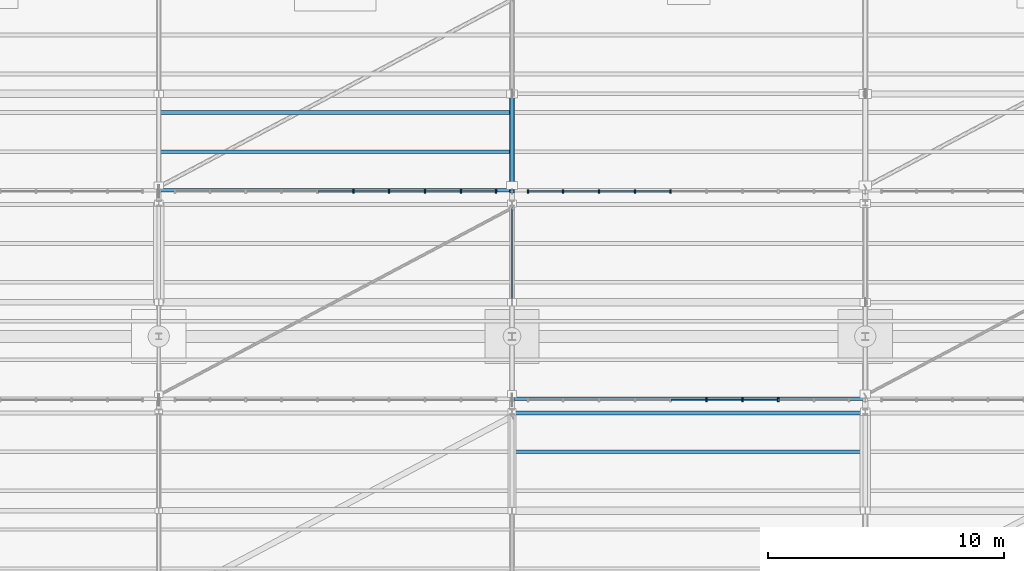
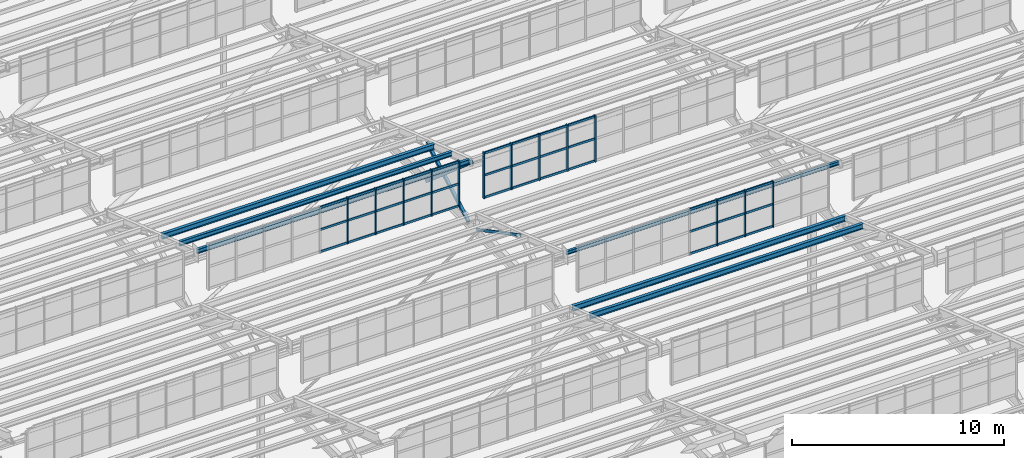
# One storey, part 90 of 285: 52 members, 6 beams, 3 elements without a shape of their own.
"""IFC4 building model written with IfcOpenShell, lengths in metres."""

from ifc_helpers import new_model, si_unit, direction, frame, origin, origin_2d, place, context, subcontext, project, spatial, rectangle, hollow_rectangle, i_section, extrude, material, material_profile, profile_set, type_object, element, aggregate, save


model = new_model("IFC4")

# Units and contexts
model_context = context("Model", 3, precision=1e-05, world=origin(), true_north=direction((0.0, 1.0)))
body_context = subcontext(model_context, "Body", "Model", "MODEL_VIEW")
ifc_project = project(units=[si_unit("LENGTHUNIT", "METRE"), si_unit("AREAUNIT", "SQUARE_METRE"), si_unit("VOLUMEUNIT", "CUBIC_METRE"), si_unit("PLANEANGLEUNIT", "RADIAN"), si_unit("MASSUNIT", "GRAM", prefix="KILO")], contexts=[model_context])

# Site, building, storey
site_placement = place(None, origin())
site = spatial("IfcSite", under=ifc_project, at=site_placement, CompositionType="ELEMENT")
building_placement = place(site_placement, origin())
building = spatial("IfcBuilding", under=site, at=building_placement, Name="Solanera Park Tramway Depot", CompositionType="ELEMENT")
storey_placement = place(building_placement, origin())
storey = spatial("IfcBuildingStorey", under=building, at=storey_placement, Name="L00", CompositionType="ELEMENT", Elevation=0.0)

# Curtain wall, members
ifc_material_1 = material(Name="Bronze-anodised thermally broken aluminium curtain wall", Category="aluminium")
curtain_wall_type = type_object("IfcCurtainWallType", Name="Sawtooth Clerestory Monitor Curtain Wall", PredefinedType="NOTDEFINED", material=ifc_material_1)
curtain_wall_1_placement = place(storey_placement, origin())
curtain_wall_1 = element("IfcCurtainWall", 1, at=curtain_wall_1_placement, inside=storey, type_object=curtain_wall_type, Name="L00 Sawtooth Clerestory Monitor Curtain Wall #026", PredefinedType="NOTDEFINED")
ifc_material_2 = material(Name="Bronze-anodised structural aluminium 6063-T6", Category="aluminium")
ifc_material_profile_1 = material_profile(ifc_material_2, rectangle(XDim=0.06494140625, YDim=0.14990234375, at=origin_2d()), Name="Curtain Wall Mullion 65x150")
ifc_profile_set_1 = profile_set([ifc_material_profile_1], Name="Bronze-anodised structural aluminium 6063-T6")
member_type_1 = type_object("IfcMemberType", Name="Curtain Wall Mullion 65x150", PredefinedType="MULLION", material=ifc_profile_set_1)
member_1_placement = place(storey_placement, frame((113.260986328125, 82.300048828125, 7.75), z_axis=(0.0, 0.0, 1.0), x_axis=(1.0, 0.0, 0.0)))
member_1 = element("IfcMember", 2, at=member_1_placement, type_object=member_type_1, Name="CW-L00-026 Mullion 6", PredefinedType="MULLION", context=body_context, shape_type="SweptSolid", body=[
    extrude(rectangle(XDim=0.06494140625, YDim=0.14990234375, at=origin_2d()), origin(), (0.0, 0.0, 1.0), 2.6611328125),
])
member_2_placement = place(storey_placement, frame((114.783203125, 82.300048828125, 7.75), z_axis=(0.0, 0.0, 1.0), x_axis=(1.0, 0.0, 0.0)))
member_2 = element("IfcMember", 3, at=member_2_placement, type_object=member_type_1, Name="CW-L00-026 Mullion 7", PredefinedType="MULLION", context=body_context, shape_type="SweptSolid", body=[
    extrude(rectangle(XDim=0.06494140625, YDim=0.14990234375, at=origin_2d()), origin(), (0.0, 0.0, 1.0), 2.6611328125),
])
member_3_placement = place(storey_placement, frame((116.3056640625, 82.300048828125, 7.75), z_axis=(0.0, 0.0, 1.0), x_axis=(1.0, 0.0, 0.0)))
member_3 = element("IfcMember", 4, at=member_3_placement, type_object=member_type_1, Name="CW-L00-026 Mullion 8", PredefinedType="MULLION", context=body_context, shape_type="SweptSolid", body=[
    extrude(rectangle(XDim=0.06494140625, YDim=0.14990234375, at=origin_2d()), origin(), (0.0, 0.0, 1.0), 2.6611328125),
])

curtain_wall_2_placement = place(storey_placement, origin())
curtain_wall_2 = element("IfcCurtainWall", 5, at=curtain_wall_2_placement, inside=storey, type_object=curtain_wall_type, Name="L00 Sawtooth Clerestory Monitor Curtain Wall #033", PredefinedType="NOTDEFINED")
member_4_placement = place(storey_placement, frame((98.260986328125, 91.14990234375, 7.75), z_axis=(0.0, 0.0, 1.0), x_axis=(1.0, 0.0, 0.0)))
member_4 = element("IfcMember", 6, at=member_4_placement, type_object=member_type_1, Name="CW-L00-033 Mullion 6", PredefinedType="MULLION", context=body_context, shape_type="SweptSolid", body=[
    extrude(rectangle(XDim=0.06494140625, YDim=0.14990234375, at=origin_2d()), origin(), (0.0, 0.0, 1.0), 2.6611328125),
])
member_5_placement = place(storey_placement, frame((99.783203125, 91.14990234375, 7.75), z_axis=(0.0, 0.0, 1.0), x_axis=(1.0, 0.0, 0.0)))
member_5 = element("IfcMember", 7, at=member_5_placement, type_object=member_type_1, Name="CW-L00-033 Mullion 7", PredefinedType="MULLION", context=body_context, shape_type="SweptSolid", body=[
    extrude(rectangle(XDim=0.06494140625, YDim=0.14990234375, at=origin_2d()), origin(), (0.0, 0.0, 1.0), 2.6611328125),
])
member_6_placement = place(storey_placement, frame((101.3056640625, 91.14990234375, 7.75), z_axis=(0.0, 0.0, 1.0), x_axis=(1.0, 0.0, 0.0)))
member_6 = element("IfcMember", 8, at=member_6_placement, type_object=member_type_1, Name="CW-L00-033 Mullion 8", PredefinedType="MULLION", context=body_context, shape_type="SweptSolid", body=[
    extrude(rectangle(XDim=0.06494140625, YDim=0.14990234375, at=origin_2d()), origin(), (0.0, 0.0, 1.0), 2.6611328125),
])
member_7_placement = place(storey_placement, frame((102.827880859375, 91.14990234375, 7.75), z_axis=(0.0, 0.0, 1.0), x_axis=(1.0, 0.0, 0.0)))
member_7 = element("IfcMember", 9, at=member_7_placement, type_object=member_type_1, Name="CW-L00-033 Mullion 9", PredefinedType="MULLION", context=body_context, shape_type="SweptSolid", body=[
    extrude(rectangle(XDim=0.06494140625, YDim=0.14990234375, at=origin_2d()), origin(), (0.0, 0.0, 1.0), 2.6611328125),
])
member_8_placement = place(storey_placement, frame((104.3173828125, 91.14990234375, 7.75), z_axis=(0.0, 0.0, 1.0), x_axis=(1.0, 0.0, 0.0)))
member_8 = element("IfcMember", 10, at=member_8_placement, type_object=member_type_1, Name="CW-L00-033 Mullion 10", PredefinedType="MULLION", context=body_context, shape_type="SweptSolid", body=[
    extrude(rectangle(XDim=0.06494140625, YDim=0.14990234375, at=origin_2d()), origin(), (0.0, 0.0, 1.0), 2.6611328125),
])

curtain_wall_3_placement = place(storey_placement, origin())
curtain_wall_3 = element("IfcCurtainWall", 11, at=curtain_wall_3_placement, inside=storey, type_object=curtain_wall_type, Name="L00 Sawtooth Clerestory Monitor Curtain Wall #034", PredefinedType="NOTDEFINED")
member_9_placement = place(storey_placement, frame((105.6826171875, 91.14990234375, 7.75), z_axis=(0.0, 0.0, 1.0), x_axis=(1.0, 0.0, 0.0)))
member_9 = element("IfcMember", 12, at=member_9_placement, type_object=member_type_1, Name="CW-L00-034 Mullion 1", PredefinedType="MULLION", context=body_context, shape_type="SweptSolid", body=[
    extrude(rectangle(XDim=0.06494140625, YDim=0.14990234375, at=origin_2d()), origin(), (0.0, 0.0, 1.0), 2.6611328125),
])
member_10_placement = place(storey_placement, frame((107.172119140625, 91.14990234375, 7.75), z_axis=(0.0, 0.0, 1.0), x_axis=(1.0, 0.0, 0.0)))
member_10 = element("IfcMember", 13, at=member_10_placement, type_object=member_type_1, Name="CW-L00-034 Mullion 2", PredefinedType="MULLION", context=body_context, shape_type="SweptSolid", body=[
    extrude(rectangle(XDim=0.06494140625, YDim=0.14990234375, at=origin_2d()), origin(), (0.0, 0.0, 1.0), 2.6611328125),
])
member_11_placement = place(storey_placement, frame((108.6943359375, 91.14990234375, 7.75), z_axis=(0.0, 0.0, 1.0), x_axis=(1.0, 0.0, 0.0)))
member_11 = element("IfcMember", 14, at=member_11_placement, type_object=member_type_1, Name="CW-L00-034 Mullion 3", PredefinedType="MULLION", context=body_context, shape_type="SweptSolid", body=[
    extrude(rectangle(XDim=0.06494140625, YDim=0.14990234375, at=origin_2d()), origin(), (0.0, 0.0, 1.0), 2.6611328125),
])
member_12_placement = place(storey_placement, frame((110.216796875, 91.14990234375, 7.75), z_axis=(0.0, 0.0, 1.0), x_axis=(1.0, 0.0, 0.0)))
member_12 = element("IfcMember", 15, at=member_12_placement, type_object=member_type_1, Name="CW-L00-034 Mullion 4", PredefinedType="MULLION", context=body_context, shape_type="SweptSolid", body=[
    extrude(rectangle(XDim=0.06494140625, YDim=0.14990234375, at=origin_2d()), origin(), (0.0, 0.0, 1.0), 2.6611328125),
])
member_13_placement = place(storey_placement, frame((111.739013671875, 91.14990234375, 7.75), z_axis=(0.0, 0.0, 1.0), x_axis=(1.0, 0.0, 0.0)))
member_13 = element("IfcMember", 16, at=member_13_placement, type_object=member_type_1, Name="CW-L00-034 Mullion 5", PredefinedType="MULLION", context=body_context, shape_type="SweptSolid", body=[
    extrude(rectangle(XDim=0.06494140625, YDim=0.14990234375, at=origin_2d()), origin(), (0.0, 0.0, 1.0), 2.6611328125),
])

# Member
ifc_material_3 = material(Name="Bronze-anodised structural aluminium 6063-T6", Category="aluminium")
ifc_material_profile_2 = material_profile(ifc_material_3, rectangle(XDim=0.06494140625, YDim=0.1201171875, at=origin_2d()), Name="Curtain Wall Transom 65x120")
ifc_profile_set_2 = profile_set([ifc_material_profile_2], Name="Bronze-anodised structural aluminium 6063-T6")
member_type_2 = type_object("IfcMemberType", Name="Curtain Wall Transom 65x120", PredefinedType="USERDEFINED", material=ifc_profile_set_2)
member_14_placement = place(storey_placement, frame((111.766845703125, 82.300048828125, 7.81005859375), z_axis=(1.0, 0.0, 0.0), x_axis=(0.0, 1.0, 0.0)))
member_14 = element("IfcMember", 17, at=member_14_placement, type_object=member_type_2, Name="CW-L00-026 Transom R1.C5", ObjectType="TRANSOM", PredefinedType="USERDEFINED", context=body_context, shape_type="SweptSolid", body=[
    extrude(rectangle(XDim=0.06494140625, YDim=0.1201171875, at=origin_2d()), origin(), (0.0, 0.0, 1.0), 1.46630859375),
])

member_15_placement = place(storey_placement, frame((113.2890625, 82.300048828125, 7.81005859375), z_axis=(1.0, 0.0, 0.0), x_axis=(0.0, 1.0, 0.0)))
member_15 = element("IfcMember", 18, at=member_15_placement, type_object=member_type_2, Name="CW-L00-026 Transom R1.C6", ObjectType="TRANSOM", PredefinedType="USERDEFINED", context=body_context, shape_type="SweptSolid", body=[
    extrude(rectangle(XDim=0.06494140625, YDim=0.1201171875, at=origin_2d()), origin(), (0.0, 0.0, 1.0), 1.46630859375),
])

member_16_placement = place(storey_placement, frame((114.811279296875, 82.300048828125, 7.81005859375), z_axis=(1.0, 0.0, 0.0), x_axis=(0.0, 1.0, 0.0)))
member_16 = element("IfcMember", 19, at=member_16_placement, type_object=member_type_2, Name="CW-L00-026 Transom R1.C7", ObjectType="TRANSOM", PredefinedType="USERDEFINED", context=body_context, shape_type="SweptSolid", body=[
    extrude(rectangle(XDim=0.06494140625, YDim=0.1201171875, at=origin_2d()), origin(), (0.0, 0.0, 1.0), 1.46630859375),
])

member_17_placement = place(storey_placement, frame((111.766845703125, 82.300048828125, 9.08056640625), z_axis=(1.0, 0.0, 0.0), x_axis=(0.0, 1.0, 0.0)))
member_17 = element("IfcMember", 20, at=member_17_placement, type_object=member_type_2, Name="CW-L00-026 Transom R2.C5", ObjectType="TRANSOM", PredefinedType="USERDEFINED", context=body_context, shape_type="SweptSolid", body=[
    extrude(rectangle(XDim=0.06494140625, YDim=0.1201171875, at=origin_2d()), origin(), (0.0, 0.0, 1.0), 1.46630859375),
])

member_18_placement = place(storey_placement, frame((113.2890625, 82.300048828125, 9.08056640625), z_axis=(1.0, 0.0, 0.0), x_axis=(0.0, 1.0, 0.0)))
member_18 = element("IfcMember", 21, at=member_18_placement, type_object=member_type_2, Name="CW-L00-026 Transom R2.C6", ObjectType="TRANSOM", PredefinedType="USERDEFINED", context=body_context, shape_type="SweptSolid", body=[
    extrude(rectangle(XDim=0.06494140625, YDim=0.1201171875, at=origin_2d()), origin(), (0.0, 0.0, 1.0), 1.46630859375),
])

member_19_placement = place(storey_placement, frame((114.811279296875, 82.300048828125, 9.08056640625), z_axis=(1.0, 0.0, 0.0), x_axis=(0.0, 1.0, 0.0)))
member_19 = element("IfcMember", 22, at=member_19_placement, type_object=member_type_2, Name="CW-L00-026 Transom R2.C7", ObjectType="TRANSOM", PredefinedType="USERDEFINED", context=body_context, shape_type="SweptSolid", body=[
    extrude(rectangle(XDim=0.06494140625, YDim=0.1201171875, at=origin_2d()), origin(), (0.0, 0.0, 1.0), 1.46630859375),
])

member_20_placement = place(storey_placement, frame((111.766845703125, 82.300048828125, 10.351318359375), z_axis=(1.0, 0.0, 0.0), x_axis=(0.0, 1.0, 0.0)))
member_20 = element("IfcMember", 23, at=member_20_placement, type_object=member_type_2, Name="CW-L00-026 Transom R3.C5", ObjectType="TRANSOM", PredefinedType="USERDEFINED", context=body_context, shape_type="SweptSolid", body=[
    extrude(rectangle(XDim=0.06494140625, YDim=0.1201171875, at=origin_2d()), origin(), (0.0, 0.0, 1.0), 1.46630859375),
])

member_21_placement = place(storey_placement, frame((113.2890625, 82.300048828125, 10.351318359375), z_axis=(1.0, 0.0, 0.0), x_axis=(0.0, 1.0, 0.0)))
member_21 = element("IfcMember", 24, at=member_21_placement, type_object=member_type_2, Name="CW-L00-026 Transom R3.C6", ObjectType="TRANSOM", PredefinedType="USERDEFINED", context=body_context, shape_type="SweptSolid", body=[
    extrude(rectangle(XDim=0.06494140625, YDim=0.1201171875, at=origin_2d()), origin(), (0.0, 0.0, 1.0), 1.46630859375),
])

member_22_placement = place(storey_placement, frame((114.811279296875, 82.300048828125, 10.351318359375), z_axis=(1.0, 0.0, 0.0), x_axis=(0.0, 1.0, 0.0)))
member_22 = element("IfcMember", 25, at=member_22_placement, type_object=member_type_2, Name="CW-L00-026 Transom R3.C7", ObjectType="TRANSOM", PredefinedType="USERDEFINED", context=body_context, shape_type="SweptSolid", body=[
    extrude(rectangle(XDim=0.06494140625, YDim=0.1201171875, at=origin_2d()), origin(), (0.0, 0.0, 1.0), 1.46630859375),
])

aggregate(curtain_wall_1, [member_1, member_2, member_3, member_14, member_15, member_16, member_17, member_18, member_19, member_20, member_21, member_22])

member_23_placement = place(storey_placement, frame((96.766845703125, 91.14990234375, 7.81005859375), z_axis=(1.0, 0.0, 0.0), x_axis=(0.0, 1.0, 0.0)))
member_23 = element("IfcMember", 26, at=member_23_placement, type_object=member_type_2, Name="CW-L00-033 Transom R1.C5", ObjectType="TRANSOM", PredefinedType="USERDEFINED", context=body_context, shape_type="SweptSolid", body=[
    extrude(rectangle(XDim=0.06494140625, YDim=0.1201171875, at=origin_2d()), origin(), (0.0, 0.0, 1.0), 1.46630859375),
])

member_24_placement = place(storey_placement, frame((98.2890625, 91.14990234375, 7.81005859375), z_axis=(1.0, 0.0, 0.0), x_axis=(0.0, 1.0, 0.0)))
member_24 = element("IfcMember", 27, at=member_24_placement, type_object=member_type_2, Name="CW-L00-033 Transom R1.C6", ObjectType="TRANSOM", PredefinedType="USERDEFINED", context=body_context, shape_type="SweptSolid", body=[
    extrude(rectangle(XDim=0.06494140625, YDim=0.1201171875, at=origin_2d()), origin(), (0.0, 0.0, 1.0), 1.46630859375),
])

member_25_placement = place(storey_placement, frame((99.811279296875, 91.14990234375, 7.81005859375), z_axis=(1.0, 0.0, 0.0), x_axis=(0.0, 1.0, 0.0)))
member_25 = element("IfcMember", 28, at=member_25_placement, type_object=member_type_2, Name="CW-L00-033 Transom R1.C7", ObjectType="TRANSOM", PredefinedType="USERDEFINED", context=body_context, shape_type="SweptSolid", body=[
    extrude(rectangle(XDim=0.06494140625, YDim=0.1201171875, at=origin_2d()), origin(), (0.0, 0.0, 1.0), 1.46630859375),
])

member_26_placement = place(storey_placement, frame((101.33349609375, 91.14990234375, 7.81005859375), z_axis=(1.0, 0.0, 0.0), x_axis=(0.0, 1.0, 0.0)))
member_26 = element("IfcMember", 29, at=member_26_placement, type_object=member_type_2, Name="CW-L00-033 Transom R1.C8", ObjectType="TRANSOM", PredefinedType="USERDEFINED", context=body_context, shape_type="SweptSolid", body=[
    extrude(rectangle(XDim=0.06494140625, YDim=0.1201171875, at=origin_2d()), origin(), (0.0, 0.0, 1.0), 1.46630859375),
])

member_27_placement = place(storey_placement, frame((102.855712890625, 91.14990234375, 7.81005859375), z_axis=(1.0, 0.0, 0.0), x_axis=(0.0, 1.0, 0.0)))
member_27 = element("IfcMember", 30, at=member_27_placement, type_object=member_type_2, Name="CW-L00-033 Transom R1.C9", ObjectType="TRANSOM", PredefinedType="USERDEFINED", context=body_context, shape_type="SweptSolid", body=[
    extrude(rectangle(XDim=0.06494140625, YDim=0.1201171875, at=origin_2d()), origin(), (0.0, 0.0, 1.0), 1.433837890625),
])

member_28_placement = place(storey_placement, frame((96.766845703125, 91.14990234375, 9.08056640625), z_axis=(1.0, 0.0, 0.0), x_axis=(0.0, 1.0, 0.0)))
member_28 = element("IfcMember", 31, at=member_28_placement, type_object=member_type_2, Name="CW-L00-033 Transom R2.C5", ObjectType="TRANSOM", PredefinedType="USERDEFINED", context=body_context, shape_type="SweptSolid", body=[
    extrude(rectangle(XDim=0.06494140625, YDim=0.1201171875, at=origin_2d()), origin(), (0.0, 0.0, 1.0), 1.46630859375),
])

member_29_placement = place(storey_placement, frame((98.2890625, 91.14990234375, 9.08056640625), z_axis=(1.0, 0.0, 0.0), x_axis=(0.0, 1.0, 0.0)))
member_29 = element("IfcMember", 32, at=member_29_placement, type_object=member_type_2, Name="CW-L00-033 Transom R2.C6", ObjectType="TRANSOM", PredefinedType="USERDEFINED", context=body_context, shape_type="SweptSolid", body=[
    extrude(rectangle(XDim=0.06494140625, YDim=0.1201171875, at=origin_2d()), origin(), (0.0, 0.0, 1.0), 1.46630859375),
])

member_30_placement = place(storey_placement, frame((99.811279296875, 91.14990234375, 9.08056640625), z_axis=(1.0, 0.0, 0.0), x_axis=(0.0, 1.0, 0.0)))
member_30 = element("IfcMember", 33, at=member_30_placement, type_object=member_type_2, Name="CW-L00-033 Transom R2.C7", ObjectType="TRANSOM", PredefinedType="USERDEFINED", context=body_context, shape_type="SweptSolid", body=[
    extrude(rectangle(XDim=0.06494140625, YDim=0.1201171875, at=origin_2d()), origin(), (0.0, 0.0, 1.0), 1.46630859375),
])

member_31_placement = place(storey_placement, frame((101.33349609375, 91.14990234375, 9.08056640625), z_axis=(1.0, 0.0, 0.0), x_axis=(0.0, 1.0, 0.0)))
member_31 = element("IfcMember", 34, at=member_31_placement, type_object=member_type_2, Name="CW-L00-033 Transom R2.C8", ObjectType="TRANSOM", PredefinedType="USERDEFINED", context=body_context, shape_type="SweptSolid", body=[
    extrude(rectangle(XDim=0.06494140625, YDim=0.1201171875, at=origin_2d()), origin(), (0.0, 0.0, 1.0), 1.46630859375),
])

member_32_placement = place(storey_placement, frame((102.855712890625, 91.14990234375, 9.08056640625), z_axis=(1.0, 0.0, 0.0), x_axis=(0.0, 1.0, 0.0)))
member_32 = element("IfcMember", 35, at=member_32_placement, type_object=member_type_2, Name="CW-L00-033 Transom R2.C9", ObjectType="TRANSOM", PredefinedType="USERDEFINED", context=body_context, shape_type="SweptSolid", body=[
    extrude(rectangle(XDim=0.06494140625, YDim=0.1201171875, at=origin_2d()), origin(), (0.0, 0.0, 1.0), 1.433837890625),
])

member_33_placement = place(storey_placement, frame((96.766845703125, 91.14990234375, 10.351318359375), z_axis=(1.0, 0.0, 0.0), x_axis=(0.0, 1.0, 0.0)))
member_33 = element("IfcMember", 36, at=member_33_placement, type_object=member_type_2, Name="CW-L00-033 Transom R3.C5", ObjectType="TRANSOM", PredefinedType="USERDEFINED", context=body_context, shape_type="SweptSolid", body=[
    extrude(rectangle(XDim=0.06494140625, YDim=0.1201171875, at=origin_2d()), origin(), (0.0, 0.0, 1.0), 1.46630859375),
])

member_34_placement = place(storey_placement, frame((98.2890625, 91.14990234375, 10.351318359375), z_axis=(1.0, 0.0, 0.0), x_axis=(0.0, 1.0, 0.0)))
member_34 = element("IfcMember", 37, at=member_34_placement, type_object=member_type_2, Name="CW-L00-033 Transom R3.C6", ObjectType="TRANSOM", PredefinedType="USERDEFINED", context=body_context, shape_type="SweptSolid", body=[
    extrude(rectangle(XDim=0.06494140625, YDim=0.1201171875, at=origin_2d()), origin(), (0.0, 0.0, 1.0), 1.46630859375),
])

member_35_placement = place(storey_placement, frame((99.811279296875, 91.14990234375, 10.351318359375), z_axis=(1.0, 0.0, 0.0), x_axis=(0.0, 1.0, 0.0)))
member_35 = element("IfcMember", 38, at=member_35_placement, type_object=member_type_2, Name="CW-L00-033 Transom R3.C7", ObjectType="TRANSOM", PredefinedType="USERDEFINED", context=body_context, shape_type="SweptSolid", body=[
    extrude(rectangle(XDim=0.06494140625, YDim=0.1201171875, at=origin_2d()), origin(), (0.0, 0.0, 1.0), 1.46630859375),
])

member_36_placement = place(storey_placement, frame((101.33349609375, 91.14990234375, 10.351318359375), z_axis=(1.0, 0.0, 0.0), x_axis=(0.0, 1.0, 0.0)))
member_36 = element("IfcMember", 39, at=member_36_placement, type_object=member_type_2, Name="CW-L00-033 Transom R3.C8", ObjectType="TRANSOM", PredefinedType="USERDEFINED", context=body_context, shape_type="SweptSolid", body=[
    extrude(rectangle(XDim=0.06494140625, YDim=0.1201171875, at=origin_2d()), origin(), (0.0, 0.0, 1.0), 1.46630859375),
])

member_37_placement = place(storey_placement, frame((102.855712890625, 91.14990234375, 10.351318359375), z_axis=(1.0, 0.0, 0.0), x_axis=(0.0, 1.0, 0.0)))
member_37 = element("IfcMember", 40, at=member_37_placement, type_object=member_type_2, Name="CW-L00-033 Transom R3.C9", ObjectType="TRANSOM", PredefinedType="USERDEFINED", context=body_context, shape_type="SweptSolid", body=[
    extrude(rectangle(XDim=0.06494140625, YDim=0.1201171875, at=origin_2d()), origin(), (0.0, 0.0, 1.0), 1.433837890625),
])

aggregate(curtain_wall_2, [member_4, member_5, member_6, member_7, member_8, member_23, member_24, member_25, member_26, member_27, member_28, member_29, member_30, member_31, member_32, member_33, member_34, member_35, member_36, member_37])

member_38_placement = place(storey_placement, frame((105.71044921875, 91.14990234375, 7.81005859375), z_axis=(1.0, 0.0, 0.0), x_axis=(0.0, 1.0, 0.0)))
member_38 = element("IfcMember", 41, at=member_38_placement, type_object=member_type_2, Name="CW-L00-034 Transom R1.C1", ObjectType="TRANSOM", PredefinedType="USERDEFINED", context=body_context, shape_type="SweptSolid", body=[
    extrude(rectangle(XDim=0.06494140625, YDim=0.1201171875, at=origin_2d()), origin(), (0.0, 0.0, 1.0), 1.433837890625),
])

member_39_placement = place(storey_placement, frame((107.2001953125, 91.14990234375, 7.81005859375), z_axis=(1.0, 0.0, 0.0), x_axis=(0.0, 1.0, 0.0)))
member_39 = element("IfcMember", 42, at=member_39_placement, type_object=member_type_2, Name="CW-L00-034 Transom R1.C2", ObjectType="TRANSOM", PredefinedType="USERDEFINED", context=body_context, shape_type="SweptSolid", body=[
    extrude(rectangle(XDim=0.06494140625, YDim=0.1201171875, at=origin_2d()), origin(), (0.0, 0.0, 1.0), 1.46630859375),
])

member_40_placement = place(storey_placement, frame((108.722412109375, 91.14990234375, 7.81005859375), z_axis=(1.0, 0.0, 0.0), x_axis=(0.0, 1.0, 0.0)))
member_40 = element("IfcMember", 43, at=member_40_placement, type_object=member_type_2, Name="CW-L00-034 Transom R1.C3", ObjectType="TRANSOM", PredefinedType="USERDEFINED", context=body_context, shape_type="SweptSolid", body=[
    extrude(rectangle(XDim=0.06494140625, YDim=0.1201171875, at=origin_2d()), origin(), (0.0, 0.0, 1.0), 1.46630859375),
])

member_41_placement = place(storey_placement, frame((110.24462890625, 91.14990234375, 7.81005859375), z_axis=(1.0, 0.0, 0.0), x_axis=(0.0, 1.0, 0.0)))
member_41 = element("IfcMember", 44, at=member_41_placement, type_object=member_type_2, Name="CW-L00-034 Transom R1.C4", ObjectType="TRANSOM", PredefinedType="USERDEFINED", context=body_context, shape_type="SweptSolid", body=[
    extrude(rectangle(XDim=0.06494140625, YDim=0.1201171875, at=origin_2d()), origin(), (0.0, 0.0, 1.0), 1.46630859375),
])

member_42_placement = place(storey_placement, frame((105.71044921875, 91.14990234375, 9.08056640625), z_axis=(1.0, 0.0, 0.0), x_axis=(0.0, 1.0, 0.0)))
member_42 = element("IfcMember", 45, at=member_42_placement, type_object=member_type_2, Name="CW-L00-034 Transom R2.C1", ObjectType="TRANSOM", PredefinedType="USERDEFINED", context=body_context, shape_type="SweptSolid", body=[
    extrude(rectangle(XDim=0.06494140625, YDim=0.1201171875, at=origin_2d()), origin(), (0.0, 0.0, 1.0), 1.433837890625),
])

member_43_placement = place(storey_placement, frame((107.2001953125, 91.14990234375, 9.08056640625), z_axis=(1.0, 0.0, 0.0), x_axis=(0.0, 1.0, 0.0)))
member_43 = element("IfcMember", 46, at=member_43_placement, type_object=member_type_2, Name="CW-L00-034 Transom R2.C2", ObjectType="TRANSOM", PredefinedType="USERDEFINED", context=body_context, shape_type="SweptSolid", body=[
    extrude(rectangle(XDim=0.06494140625, YDim=0.1201171875, at=origin_2d()), origin(), (0.0, 0.0, 1.0), 1.46630859375),
])

member_44_placement = place(storey_placement, frame((108.722412109375, 91.14990234375, 9.08056640625), z_axis=(1.0, 0.0, 0.0), x_axis=(0.0, 1.0, 0.0)))
member_44 = element("IfcMember", 47, at=member_44_placement, type_object=member_type_2, Name="CW-L00-034 Transom R2.C3", ObjectType="TRANSOM", PredefinedType="USERDEFINED", context=body_context, shape_type="SweptSolid", body=[
    extrude(rectangle(XDim=0.06494140625, YDim=0.1201171875, at=origin_2d()), origin(), (0.0, 0.0, 1.0), 1.46630859375),
])

member_45_placement = place(storey_placement, frame((110.24462890625, 91.14990234375, 9.08056640625), z_axis=(1.0, 0.0, 0.0), x_axis=(0.0, 1.0, 0.0)))
member_45 = element("IfcMember", 48, at=member_45_placement, type_object=member_type_2, Name="CW-L00-034 Transom R2.C4", ObjectType="TRANSOM", PredefinedType="USERDEFINED", context=body_context, shape_type="SweptSolid", body=[
    extrude(rectangle(XDim=0.06494140625, YDim=0.1201171875, at=origin_2d()), origin(), (0.0, 0.0, 1.0), 1.46630859375),
])

member_46_placement = place(storey_placement, frame((105.71044921875, 91.14990234375, 10.351318359375), z_axis=(1.0, 0.0, 0.0), x_axis=(0.0, 1.0, 0.0)))
member_46 = element("IfcMember", 49, at=member_46_placement, type_object=member_type_2, Name="CW-L00-034 Transom R3.C1", ObjectType="TRANSOM", PredefinedType="USERDEFINED", context=body_context, shape_type="SweptSolid", body=[
    extrude(rectangle(XDim=0.06494140625, YDim=0.1201171875, at=origin_2d()), origin(), (0.0, 0.0, 1.0), 1.433837890625),
])

member_47_placement = place(storey_placement, frame((107.2001953125, 91.14990234375, 10.351318359375), z_axis=(1.0, 0.0, 0.0), x_axis=(0.0, 1.0, 0.0)))
member_47 = element("IfcMember", 50, at=member_47_placement, type_object=member_type_2, Name="CW-L00-034 Transom R3.C2", ObjectType="TRANSOM", PredefinedType="USERDEFINED", context=body_context, shape_type="SweptSolid", body=[
    extrude(rectangle(XDim=0.06494140625, YDim=0.1201171875, at=origin_2d()), origin(), (0.0, 0.0, 1.0), 1.46630859375),
])

member_48_placement = place(storey_placement, frame((108.722412109375, 91.14990234375, 10.351318359375), z_axis=(1.0, 0.0, 0.0), x_axis=(0.0, 1.0, 0.0)))
member_48 = element("IfcMember", 51, at=member_48_placement, type_object=member_type_2, Name="CW-L00-034 Transom R3.C3", ObjectType="TRANSOM", PredefinedType="USERDEFINED", context=body_context, shape_type="SweptSolid", body=[
    extrude(rectangle(XDim=0.06494140625, YDim=0.1201171875, at=origin_2d()), origin(), (0.0, 0.0, 1.0), 1.46630859375),
])

member_49_placement = place(storey_placement, frame((110.24462890625, 91.14990234375, 10.351318359375), z_axis=(1.0, 0.0, 0.0), x_axis=(0.0, 1.0, 0.0)))
member_49 = element("IfcMember", 52, at=member_49_placement, type_object=member_type_2, Name="CW-L00-034 Transom R3.C4", ObjectType="TRANSOM", PredefinedType="USERDEFINED", context=body_context, shape_type="SweptSolid", body=[
    extrude(rectangle(XDim=0.06494140625, YDim=0.1201171875, at=origin_2d()), origin(), (0.0, 0.0, 1.0), 1.46630859375),
])

aggregate(curtain_wall_3, [member_9, member_10, member_11, member_12, member_13, member_38, member_39, member_40, member_41, member_42, member_43, member_44, member_45, member_46, member_47, member_48, member_49])

ifc_material_4 = material(Name="Steel AS/NZS 1163 Grade C350L0", Category="steel")
ifc_material_profile_3 = material_profile(ifc_material_4, hollow_rectangle(XDim=0.14990234375, YDim=0.14990234375, WallThickness=0.006103515625, at=origin_2d()), Name="150x150x6.0 SHS")
ifc_profile_set_3 = profile_set([ifc_material_profile_3], Name="Steel AS/NZS 1163 Grade C350L0")
member_type_3 = type_object("IfcMemberType", Name="Roof Gantry Compression Strut 150x150x6.0 SHS", PredefinedType="STRUT", material=ifc_profile_set_3)
member_50_placement = place(storey_placement, frame((105.0, 91.39990234375, 6.5), z_axis=(0.0, 0.871644015716, 0.490139480011), x_axis=(-1.0, 0.0, 0.0)))
element("IfcMember", 53, at=member_50_placement, inside=storey, type_object=member_type_3, Name="Sawtooth ROOF TRUSS Strut 150x150x6.0 SHS #0202", PredefinedType="STRUT", context=body_context, shape_type="SweptSolid", body=[
    extrude(hollow_rectangle(XDim=0.14990234375, YDim=0.14990234375, WallThickness=0.006103515625, at=origin_2d()), origin(), (0.0, 0.0, 1.0), 4.474365234375),
])

# Beams
ifc_material_5 = material(Name="Steel AS/NZS 3679.1 Grade 350", Category="steel")
ifc_material_profile_4 = material_profile(ifc_material_5, i_section(OverallWidth=0.13330078125, OverallDepth=0.203125, WebThickness=0.005859375, FlangeThickness=0.0078125, at=origin_2d()), Name="200UB25.4")
ifc_profile_set_4 = profile_set([ifc_material_profile_4], Name="Steel AS/NZS 3679.1 Grade 350")
beam_type_1 = type_object("IfcBeamType", Name="Steel Joist Purlin 200UB25.4", PredefinedType="JOIST", material=ifc_profile_set_4)
beam_1_placement = place(storey_placement, frame((105.077880859375, 82.35009765625, 10.166259765625), z_axis=(1.0, 0.0, 0.0), x_axis=(0.0, 1.0, 0.0)))
element("IfcBeam", 54, at=beam_1_placement, inside=storey, type_object=beam_type_1, Name="Sawtooth Roof Purlin 200UB25.4 B04.1", PredefinedType="JOIST", context=body_context, shape_type="SweptSolid", body=[
    extrude(i_section(OverallWidth=0.13330078125, OverallDepth=0.203125, WebThickness=0.005859375, FlangeThickness=0.0078125, at=origin_2d()), origin(), (0.0, 0.0, 1.0), 14.84130859375),
])
ifc_material_6 = material(Name="Steel AS/NZS 3679.1 Grade 350", Category="steel")
ifc_material_profile_5 = material_profile(ifc_material_6, i_section(OverallWidth=0.14599609375, OverallDepth=0.251708984375, WebThickness=0.006103515625, FlangeThickness=0.008544921875, at=origin_2d()), Name="250UB31.4")
ifc_profile_set_5 = profile_set([ifc_material_profile_5], Name="Steel AS/NZS 3679.1 Grade 350")
beam_type_2 = type_object("IfcBeamType", Name="Steel Joist Purlin 250UB31.4", PredefinedType="JOIST", material=ifc_profile_set_5)
beam_2_placement = place(storey_placement, frame((90.077880859375, 91.199951171875, 10.139892578125), z_axis=(1.0, 0.0, 0.0), x_axis=(0.0, 1.0, 0.0)))
element("IfcBeam", 55, at=beam_2_placement, inside=storey, type_object=beam_type_2, Name="Sawtooth Roof Purlin 250UB31.4 B05.1", PredefinedType="JOIST", context=body_context, shape_type="SweptSolid", body=[
    extrude(i_section(OverallWidth=0.14599609375, OverallDepth=0.251708984375, WebThickness=0.006103515625, FlangeThickness=0.008544921875, at=origin_2d()), origin(), (0.0, 0.0, 1.0), 14.84130859375),
])
ifc_material_7 = material(Name="Steel AS/NZS 3679.1 Grade 350", Category="steel")
ifc_material_profile_6 = material_profile(ifc_material_7, i_section(OverallWidth=0.146484375, OverallDepth=0.256103515625, WebThickness=0.00634765625, FlangeThickness=0.010986328125, at=origin_2d()), Name="250UB37.3")
ifc_profile_set_6 = profile_set([ifc_material_profile_6], Name="Steel AS/NZS 3679.1 Grade 350")
beam_type_3 = type_object("IfcBeamType", Name="Steel Joist Purlin 250UB37.3", PredefinedType="JOIST", material=ifc_profile_set_6)
beam_3_placement = place(storey_placement, frame((90.077880859375, 92.85009765625, 9.58544921875), z_axis=(1.0, 0.0, 0.0), x_axis=(0.0, 1.0, 0.0)))
element("IfcBeam", 56, at=beam_3_placement, inside=storey, type_object=beam_type_3, Name="Sawtooth Roof Purlin 250UB37.3 B05.2", PredefinedType="JOIST", context=body_context, shape_type="SweptSolid", body=[
    extrude(i_section(OverallWidth=0.146484375, OverallDepth=0.256103515625, WebThickness=0.00634765625, FlangeThickness=0.010986328125, at=origin_2d()), origin(), (0.0, 0.0, 1.0), 14.84130859375),
])
ifc_material_8 = material(Name="Steel AS/NZS 3679.1 Grade 350", Category="steel")
ifc_material_profile_7 = material_profile(ifc_material_8, i_section(OverallWidth=0.1650390625, OverallDepth=0.3037109375, WebThickness=0.006103515625, FlangeThickness=0.01025390625, at=origin_2d()), Name="310UB40.4")
ifc_profile_set_7 = profile_set([ifc_material_profile_7], Name="Steel AS/NZS 3679.1 Grade 350")
beam_type_4 = type_object("IfcBeamType", Name="Steel Joist Purlin 310UB40.4", PredefinedType="JOIST", material=ifc_profile_set_7)
beam_4_placement = place(storey_placement, frame((105.074951171875, 80.10009765625, 7.902099609375), z_axis=(1.0, 0.0, 0.0), x_axis=(0.0, 1.0, 0.0)))
element("IfcBeam", 57, at=beam_4_placement, inside=storey, type_object=beam_type_4, Name="Sawtooth Roof Purlin 310UB40.4 B03.5", PredefinedType="JOIST", context=body_context, shape_type="SweptSolid", body=[
    extrude(i_section(OverallWidth=0.1650390625, OverallDepth=0.3037109375, WebThickness=0.006103515625, FlangeThickness=0.01025390625, at=origin_2d()), origin(), (0.0, 0.0, 1.0), 14.84716796875),
])
beam_5_placement = place(storey_placement, frame((90.077880859375, 94.5, 9.00634765625), z_axis=(1.0, 0.0, 0.0), x_axis=(0.0, 1.0, 0.0)))
element("IfcBeam", 58, at=beam_5_placement, inside=storey, type_object=beam_type_4, Name="Sawtooth Roof Purlin 310UB40.4 B05.3", PredefinedType="JOIST", context=body_context, shape_type="SweptSolid", body=[
    extrude(i_section(OverallWidth=0.1650390625, OverallDepth=0.3037109375, WebThickness=0.006103515625, FlangeThickness=0.01025390625, at=origin_2d()), origin(), (0.0, 0.0, 1.0), 14.84130859375),
])
ifc_material_9 = material(Name="Steel AS/NZS 3679.1 Grade 350", Category="steel")
ifc_material_profile_8 = material_profile(ifc_material_9, i_section(OverallWidth=0.166015625, OverallDepth=0.30712890625, WebThickness=0.006591796875, FlangeThickness=0.01171875, at=origin_2d()), Name="310UB46.2")
ifc_profile_set_8 = profile_set([ifc_material_profile_8], Name="Steel AS/NZS 3679.1 Grade 350")
beam_type_5 = type_object("IfcBeamType", Name="Steel Joist Purlin 310UB46.2", PredefinedType="JOIST", material=ifc_profile_set_8)
beam_6_placement = place(storey_placement, frame((105.074951171875, 81.75, 7.348388671875), z_axis=(1.0, 0.0, 0.0), x_axis=(0.0, 1.0, 0.0)))
element("IfcBeam", 59, at=beam_6_placement, inside=storey, type_object=beam_type_5, Name="Sawtooth Roof Purlin 310UB46.2 B03.6", PredefinedType="JOIST", context=body_context, shape_type="SweptSolid", body=[
    extrude(i_section(OverallWidth=0.166015625, OverallDepth=0.30712890625, WebThickness=0.006591796875, FlangeThickness=0.01171875, at=origin_2d()), origin(), (0.0, 0.0, 1.0), 14.84716796875),
])

# Members
ifc_material_10 = material(Name="Steel AS/NZS 1163 Grade C350L0", Category="steel")
ifc_material_profile_9 = material_profile(ifc_material_10, hollow_rectangle(XDim=0.050048828125, YDim=0.14990234375, WallThickness=0.0048828125, at=origin_2d()), Name="150x50x5.0 RHS")
ifc_profile_set_9 = profile_set([ifc_material_profile_9], Name="Steel AS/NZS 1163 Grade C350L0")
member_type_4 = type_object("IfcMemberType", Name="Truss and Frame Brace 150x50x5.0 RHS", PredefinedType="BRACE", material=ifc_profile_set_9)
member_51_placement = place(storey_placement, frame((105.0, 90.64990234375, 6.5), z_axis=(0.0, -0.884222622593, 0.467065684561), x_axis=(1.0, 0.0, 0.0)))
element("IfcMember", 60, at=member_51_placement, inside=storey, type_object=member_type_4, Name="Sawtooth ROOF TRUSS Diagonal 150x50x5.0 RHS #0154", PredefinedType="BRACE", context=body_context, shape_type="SweptSolid", body=[
    extrude(hollow_rectangle(XDim=0.050048828125, YDim=0.14990234375, WallThickness=0.0048828125, at=origin_2d()), origin(), (0.0, 0.0, 1.0), 4.75),
])
ifc_material_11 = material(Name="Steel AS/NZS 1163 Grade C350L0", Category="steel")
ifc_material_profile_10 = material_profile(ifc_material_11, hollow_rectangle(XDim=0.199951171875, YDim=0.199951171875, WallThickness=0.008056640625, at=origin_2d()), Name="200x200x8.0 SHS")
ifc_profile_set_10 = profile_set([ifc_material_profile_10], Name="Steel AS/NZS 1163 Grade C350L0")
member_type_5 = type_object("IfcMemberType", Name="Truss and Frame Brace 200x200x8.0 SHS", PredefinedType="BRACE", material=ifc_profile_set_10)
member_52_placement = place(storey_placement, frame((105.0, 95.300048828125, 6.5), z_axis=(0.0, -0.757064292854, 0.653340383327), x_axis=(1.0, 0.0, 0.0)))
element("IfcMember", 61, at=member_52_placement, inside=storey, type_object=member_type_5, Name="Sawtooth ROOF TRUSS Web Brace 200x200x8.0 SHS #0200", PredefinedType="BRACE", context=body_context, shape_type="SweptSolid", body=[
    extrude(hollow_rectangle(XDim=0.199951171875, YDim=0.199951171875, WallThickness=0.008056640625, at=origin_2d()), origin(), (0.0, 0.0, 1.0), 5.48193359375),
])

save(model, "model.ifc")
